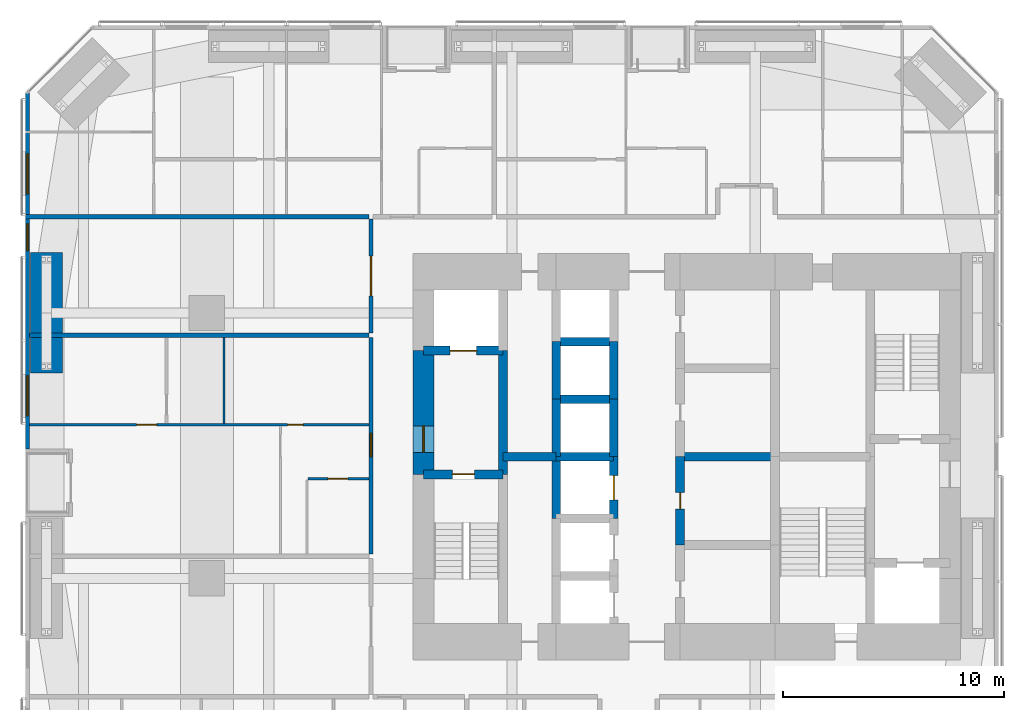
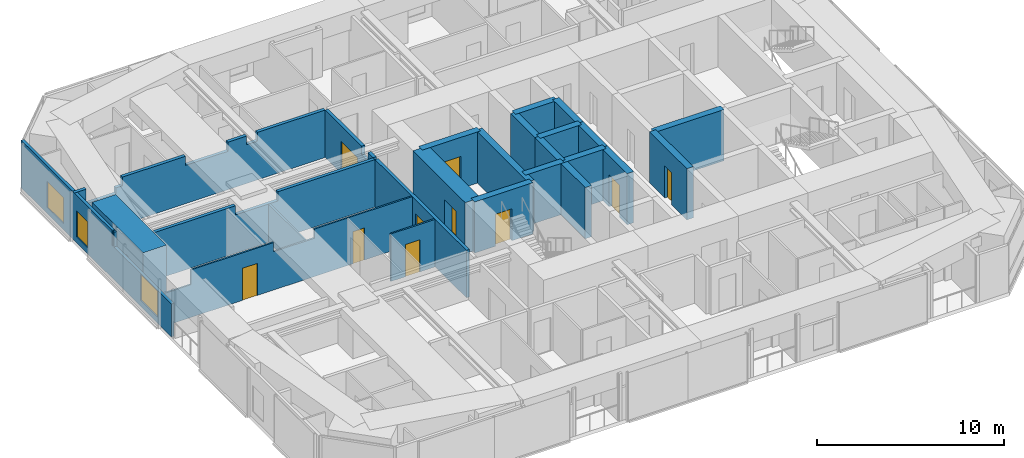
# One storey, part 18 of 23: 25 walls, 10 doors, 3 windows, 13 openings.
"""IFC4 building model written with IfcOpenShell, lengths in metres."""

from ifc_helpers import new_model, si_unit, direction, frame, frame_2d, origin, place, context, subcontext, project, spatial, polyline, rectangle, outline, extrude, material, layer, layer_set, constituent, constituent_set, type_object, element, fill, save


model = new_model("IFC4")

# Units and contexts
model_context = context("Model", 3, precision=1e-05, world=origin(), true_north=direction((0.0, 1.0)))
body_context = subcontext(model_context, "Body", "Model", "MODEL_VIEW")
ifc_project = project(units=[si_unit("LENGTHUNIT", "METRE"), si_unit("AREAUNIT", "SQUARE_METRE"), si_unit("VOLUMEUNIT", "CUBIC_METRE"), si_unit("PLANEANGLEUNIT", "RADIAN"), si_unit("MASSUNIT", "GRAM", prefix="KILO")], contexts=[model_context])

# Site, building, storey
site_placement = place(None, origin())
site = spatial("IfcSite", under=ifc_project, at=site_placement, CompositionType="ELEMENT")
building_placement = place(site_placement, origin())
building = spatial("IfcBuilding", under=site, at=building_placement, Name="Jalousie Tower", CompositionType="ELEMENT")
storey_placement = place(building_placement, frame((0.0, 0.0, 41.10009765625)))
storey = spatial("IfcBuildingStorey", under=building, at=storey_placement, Name="L10", CompositionType="ELEMENT", Elevation=41.10009765625)

# Walls
ifc_material_1 = material(Name="Concrete f'c 120 MPa", Category="concrete")
ifc_layer_1 = layer(ifc_material_1, 0.39990234375)
ifc_layer_set_1 = layer_set([ifc_layer_1], Name="Concrete f'c 120 MPa")
wall_type_1 = type_object("IfcWallType", Name="CORE WALL 400", PredefinedType="SHEAR", material=ifc_layer_set_1)
wall_1_placement = place(storey_placement, frame((23.60009765625, 17.699951171875, 0.0), z_axis=(0.0, 0.0, 1.0), x_axis=(0.0, 1.0, 0.0)))
element("IfcWall", 1, at=wall_1_placement, inside=storey, type_object=wall_type_1, Name="Core wall X23.6B L10", PredefinedType="SHEAR", context=body_context, shape_type="SweptSolid", body=[
    extrude(rectangle(XDim=5.60009765625, YDim=0.39990234375, at=frame_2d((2.800048828125, 0.0))), origin(), (0.0, 0.0, 1.0), 3.349853515625),
])
wall_2_placement = place(storey_placement, frame((26.0, 15.699951171875, 0.0), z_axis=(0.0, 0.0, 1.0), x_axis=(0.0, 1.0, 0.0)))
element("IfcWall", 2, at=wall_2_placement, inside=storey, type_object=wall_type_1, Name="Core wall X26C L10", PredefinedType="SHEAR", context=body_context, shape_type="SweptSolid", body=[
    extrude(rectangle(XDim=2.800048828125, YDim=0.39990234375, at=frame_2d((1.39990234375, 0.0))), origin(), (0.0, 0.0, 1.0), 3.349853515625),
])
wall_3_placement = place(storey_placement, frame((26.0, 18.5, 0.0), z_axis=(0.0, 0.0, 1.0), x_axis=(0.0, 1.0, 0.0)))
element("IfcWall", 3, at=wall_3_placement, inside=storey, type_object=wall_type_1, Name="Core wall X26D L10", PredefinedType="SHEAR", context=body_context, shape_type="SweptSolid", body=[
    extrude(rectangle(XDim=2.60009765625, YDim=0.39990234375, at=frame_2d((1.300048828125, 0.0))), origin(), (0.0, 0.0, 1.0), 3.349853515625),
])
wall_4_placement = place(storey_placement, frame((26.0, 21.10009765625, 0.0), z_axis=(0.0, 0.0, 1.0), x_axis=(0.0, 1.0, 0.0)))
element("IfcWall", 4, at=wall_4_placement, inside=storey, type_object=wall_type_1, Name="Core wall X26E L10", PredefinedType="SHEAR", context=body_context, shape_type="SweptSolid", body=[
    extrude(rectangle(XDim=2.599853515625, YDim=0.39990234375, at=frame_2d((1.2998046875, 0.0))), origin(), (0.0, 0.0, 1.0), 3.349853515625),
])

# Wall, opening, door
wall_5_placement = place(storey_placement, frame((28.60009765625, 15.699951171875, 0.0), z_axis=(0.0, 0.0, 1.0), x_axis=(0.0, 1.0, 0.0)))
wall_5 = element("IfcWall", 5, at=wall_5_placement, inside=storey, type_object=wall_type_1, Name="Core wall X28.6C L10", PredefinedType="SHEAR", context=body_context, shape_type="SweptSolid", body=[
    extrude(rectangle(XDim=2.800048828125, YDim=0.39990234375, at=frame_2d((1.39990234375, 0.0))), origin(), (0.0, 0.0, 1.0), 3.349853515625),
])
opening_1_placement = place(wall_5_placement, frame((0.85009765625, 0.0, 0.0)))
opening_1 = element("IfcOpeningElement", 6, at=opening_1_placement, cuts=wall_5, Name="Opening LD1", PredefinedType="OPENING", context=body_context, shape_type="SweptSolid", body=[
    extrude(rectangle(XDim=1.10009765625, YDim=2.10009765625, at=frame_2d((0.550048828125, 1.050048828125))), frame((0.0, 0.2099609375, 0.0), z_axis=(0.0, -1.0, 0.0), x_axis=(1.0, 0.0, 0.0)), (0.0, 0.0, 1.0), 0.419921875),
])
ifc_material_2 = material(Name="Steel lift landing door", Category="steel")
door_type_1 = type_object("IfcDoorType", Name="LIFT LANDING DOOR 1100", OperationType="SLIDING_TO_LEFT", PredefinedType="DOOR", material=ifc_material_2)
door_1_placement = place(opening_1_placement, origin())
door_1 = element("IfcDoor", 7, at=door_1_placement, inside=storey, type_object=door_type_1, Name="Lift P3 landing door", OperationType="SLIDING_TO_LEFT", OverallHeight=2.10009765625, OverallWidth=1.10009765625, PredefinedType="DOOR", context=body_context, shape_type="SweptSolid", body=[
    extrude(rectangle(XDim=1.10009765625, YDim=2.10009765625, at=frame_2d((0.550048828125, 1.050048828125))), frame((0.0, 0.02490234375, 0.0), z_axis=(0.0, -1.0, 0.0), x_axis=(1.0, 0.0, 0.0)), (0.0, 0.0, 1.0), 0.050048828125),
])
fill(opening_1, door_1)

# Walls
wall_6_placement = place(storey_placement, frame((28.60009765625, 18.5, 0.0), z_axis=(0.0, 0.0, 1.0), x_axis=(0.0, 1.0, 0.0)))
element("IfcWall", 8, at=wall_6_placement, inside=storey, type_object=wall_type_1, Name="Core wall X28.6D L10", PredefinedType="SHEAR", context=body_context, shape_type="SweptSolid", body=[
    extrude(rectangle(XDim=2.60009765625, YDim=0.39990234375, at=frame_2d((1.300048828125, 0.0))), origin(), (0.0, 0.0, 1.0), 3.349853515625),
])
wall_7_placement = place(storey_placement, frame((28.60009765625, 21.10009765625, 0.0), z_axis=(0.0, 0.0, 1.0), x_axis=(0.0, 1.0, 0.0)))
element("IfcWall", 9, at=wall_7_placement, inside=storey, type_object=wall_type_1, Name="Core wall X28.6E L10", PredefinedType="SHEAR", context=body_context, shape_type="SweptSolid", body=[
    extrude(rectangle(XDim=2.599853515625, YDim=0.39990234375, at=frame_2d((1.2998046875, 0.0))), origin(), (0.0, 0.0, 1.0), 3.349853515625),
])

# Wall, opening, door
wall_8_placement = place(storey_placement, frame((31.60009765625, 14.5, 0.0), z_axis=(0.0, 0.0, 1.0), x_axis=(0.0, 1.0, 0.0)))
wall_8 = element("IfcWall", 10, at=wall_8_placement, inside=storey, type_object=wall_type_1, Name="Core wall X31.6B L10", PredefinedType="SHEAR", context=body_context, shape_type="SweptSolid", body=[
    extrude(rectangle(XDim=4.0, YDim=0.39990234375, at=frame_2d((2.0, 0.0))), origin(), (0.0, 0.0, 1.0), 3.349853515625),
])
opening_2_placement = place(wall_8_placement, frame((1.625, 0.0, 0.0)))
opening_2 = element("IfcOpeningElement", 11, at=opening_2_placement, cuts=wall_8, Name="Opening D16", PredefinedType="OPENING", context=body_context, shape_type="SweptSolid", body=[
    extrude(rectangle(XDim=0.75, YDim=2.10009765625, at=frame_2d((0.375, 1.050048828125))), frame((0.0, 0.2099609375, 0.0), z_axis=(0.0, -1.0, 0.0), x_axis=(1.0, 0.0, 0.0)), (0.0, 0.0, 1.0), 0.419921875),
])
ifc_material_3 = material(Name="Steel fire door", Category="steel")
door_type_2 = type_object("IfcDoorType", Name="RISER DOOR 750", OperationType="SINGLE_SWING_LEFT", PredefinedType="DOOR", material=ifc_material_3)
door_2_placement = place(opening_2_placement, frame((0.75, 0.0, 0.0), z_axis=(0.0, 0.0, 1.0), x_axis=(-1.0, 0.0, 0.0)))
door_2 = element("IfcDoor", 12, at=door_2_placement, inside=storey, type_object=door_type_2, Name="Electrical Room door", OperationType="SINGLE_SWING_LEFT", OverallHeight=2.10009765625, OverallWidth=0.75, PredefinedType="DOOR", context=body_context, shape_type="SweptSolid", body=[
    extrude(rectangle(XDim=0.75, YDim=2.10009765625, at=frame_2d((0.375, 1.050048828125))), frame((0.0, 0.02490234375, 0.0), z_axis=(0.0, -1.0, 0.0), x_axis=(1.0, 0.0, 0.0)), (0.0, 0.0, 1.0), 0.050048828125),
])
fill(opening_2, door_2)

wall_9_placement = place(storey_placement, frame((20.0, 17.699951171875, 0.0), z_axis=(0.0, 0.0, 1.0), x_axis=(1.0, 0.0, 0.0)))
wall_9 = element("IfcWall", 13, at=wall_9_placement, inside=storey, type_object=wall_type_1, Name="Core wall Y20-17.7 L10", PredefinedType="SHEAR", context=body_context, shape_type="SweptSolid", body=[
    extrude(rectangle(XDim=3.60009765625, YDim=0.39990234375, at=frame_2d((1.800048828125, 0.0))), origin(), (0.0, 0.0, 1.0), 3.349853515625),
])
opening_3_placement = place(wall_9_placement, frame((1.300048828125, 0.0, 0.0)))
opening_3 = element("IfcOpeningElement", 14, at=opening_3_placement, cuts=wall_9, Name="Opening D10", PredefinedType="OPENING", context=body_context, shape_type="SweptSolid", body=[
    extrude(rectangle(XDim=1.0, YDim=2.10009765625, at=frame_2d((0.5, 1.050048828125))), frame((0.0, 0.2099609375, 0.0), z_axis=(0.0, -1.0, 0.0), x_axis=(1.0, 0.0, 0.0)), (0.0, 0.0, 1.0), 0.419921875),
])
ifc_material_4 = material(Name="Steel fire door", Category="steel")
door_type_3 = type_object("IfcDoorType", Name="STAIR DOOR 1000", OperationType="SINGLE_SWING_LEFT", PredefinedType="DOOR", material=ifc_material_4)
door_3_placement = place(opening_3_placement, frame((1.0, 0.0, 0.0), z_axis=(0.0, 0.0, 1.0), x_axis=(-1.0, 0.0, 0.0)))
door_3 = element("IfcDoor", 15, at=door_3_placement, inside=storey, type_object=door_type_3, Name="Exit stair A door", OperationType="SINGLE_SWING_RIGHT", OverallHeight=2.10009765625, OverallWidth=1.0, PredefinedType="DOOR", context=body_context, shape_type="SweptSolid", body=[
    extrude(rectangle(XDim=1.0, YDim=2.10009765625, at=frame_2d((0.5, 1.050048828125))), frame((0.0, 0.02490234375, 0.0), z_axis=(0.0, -1.0, 0.0), x_axis=(1.0, 0.0, 0.0)), (0.0, 0.0, 1.0), 0.050048828125),
])
fill(opening_3, door_3)

wall_10_placement = place(storey_placement, frame((20.0, 23.300048828125, 0.0), z_axis=(0.0, 0.0, 1.0), x_axis=(1.0, 0.0, 0.0)))
wall_10 = element("IfcWall", 16, at=wall_10_placement, inside=storey, type_object=wall_type_1, Name="Core wall Y20-23.3 L10", PredefinedType="SHEAR", context=body_context, shape_type="SweptSolid", body=[
    extrude(rectangle(XDim=3.60009765625, YDim=0.39990234375, at=frame_2d((1.800048828125, 0.0))), origin(), (0.0, 0.0, 1.0), 3.349853515625),
])
opening_4_placement = place(wall_10_placement, frame((1.199951171875, 0.0, 0.0)))
opening_4 = element("IfcOpeningElement", 17, at=opening_4_placement, cuts=wall_10, Name="Opening LD2", PredefinedType="OPENING", context=body_context, shape_type="SweptSolid", body=[
    extrude(rectangle(XDim=1.199951171875, YDim=2.10009765625, at=frame_2d((0.60009765625, 1.050048828125))), frame((0.0, 0.2099609375, 0.0), z_axis=(0.0, -1.0, 0.0), x_axis=(1.0, 0.0, 0.0)), (0.0, 0.0, 1.0), 0.419921875),
])
ifc_material_5 = material(Name="Steel lift landing door", Category="steel")
door_type_4 = type_object("IfcDoorType", Name="LIFT LANDING DOOR 1200", OperationType="SLIDING_TO_LEFT", PredefinedType="DOOR", material=ifc_material_5)
door_4_placement = place(opening_4_placement, origin())
door_4 = element("IfcDoor", 18, at=door_4_placement, inside=storey, type_object=door_type_4, Name="Lift F1 landing door", OperationType="SLIDING_TO_LEFT", OverallHeight=2.10009765625, OverallWidth=1.199951171875, PredefinedType="DOOR", context=body_context, shape_type="SweptSolid", body=[
    extrude(rectangle(XDim=1.199951171875, YDim=2.10009765625, at=frame_2d((0.60009765625, 1.050048828125))), frame((0.0, 0.02490234375, 0.0), z_axis=(0.0, -1.0, 0.0), x_axis=(1.0, 0.0, 0.0)), (0.0, 0.0, 1.0), 0.050048828125),
])
fill(opening_4, door_4)

# Walls
wall_11_placement = place(storey_placement, frame((23.60009765625, 18.5, 0.0), z_axis=(0.0, 0.0, 1.0), x_axis=(1.0, 0.0, 0.0)))
element("IfcWall", 19, at=wall_11_placement, inside=storey, type_object=wall_type_1, Name="Core wall Y23.6-18.5 L10", PredefinedType="SHEAR", context=body_context, shape_type="SweptSolid", body=[
    extrude(rectangle(XDim=2.39990234375, YDim=0.39990234375, at=frame_2d((1.199951171875, 0.0))), origin(), (0.0, 0.0, 1.0), 3.349853515625),
])
for number, where, z_axis, x_axis, name in (
    (20, (26.0, 18.5, 0.0), (0.0, 0.0, 1.0), (1.0, 0.0, 0.0), "Core wall Y26-18.5 L10"),
    (21, (26.0, 21.10009765625, 0.0), (0.0, 0.0, 1.0), (1.0, 0.0, 0.0), "Core wall Y26-21.1 L10"),
    (22, (26.0, 23.699951171875, 0.0), (0.0, 0.0, 1.0), (1.0, 0.0, 0.0), "Core wall Y26-23.7 L10"),
):
    element("IfcWall", number, at=place(storey_placement, frame(where, z_axis=z_axis, x_axis=x_axis)), inside=storey, type_object=wall_type_1, Name=name, PredefinedType="SHEAR", context=body_context, shape_type="SweptSolid", body=[
        extrude(rectangle(XDim=2.60009765625, YDim=0.39990234375, at=frame_2d((1.300048828125, 0.0))), origin(), (0.0, 0.0, 1.0), 3.349853515625),
    ])
wall_12_placement = place(storey_placement, frame((31.60009765625, 18.5, 0.0), z_axis=(0.0, 0.0, 1.0), x_axis=(1.0, 0.0, 0.0)))
element("IfcWall", 23, at=wall_12_placement, inside=storey, type_object=wall_type_1, Name="Core wall Y31.6-18.5 L10", PredefinedType="SHEAR", context=body_context, shape_type="SweptSolid", body=[
    extrude(rectangle(XDim=4.2998046875, YDim=0.39990234375, at=frame_2d((2.14990234375, 0.0))), origin(), (0.0, 0.0, 1.0), 3.349853515625),
])

# Wall, opening, door
ifc_material_6 = material(Name="Concrete f'c 120 MPa", Category="concrete")
ifc_layer_2 = layer(ifc_material_6, 0.949951171875)
ifc_layer_set_2 = layer_set([ifc_layer_2], Name="Concrete f'c 120 MPa")
wall_type_2 = type_object("IfcWallType", Name="CORE WALL 950", PredefinedType="SHEAR", material=ifc_layer_set_2)
wall_13_placement = place(storey_placement, frame((20.0, 23.300048828125, 0.0), z_axis=(0.0, 0.0, 1.0), x_axis=(0.0, -1.0, 0.0)))
wall_13 = element("IfcWall", 24, at=wall_13_placement, inside=storey, type_object=wall_type_2, Name="Core wall WB L10", PredefinedType="SHEAR", context=body_context, shape_type="SweptSolid", body=[
    extrude(rectangle(XDim=5.60009765625, YDim=0.949951171875, at=frame_2d((2.800048828125, 0.0))), origin(), (0.0, 0.0, 1.0), 3.349853515625),
])
opening_5_placement = place(wall_13_placement, frame((3.39990234375, 0.0, 0.0)))
opening_5 = element("IfcOpeningElement", 25, at=opening_5_placement, cuts=wall_13, Name="Opening D11", PredefinedType="OPENING", context=body_context, shape_type="SweptSolid", body=[
    extrude(rectangle(XDim=1.199951171875, YDim=2.199951171875, at=frame_2d((0.60009765625, 1.10009765625))), frame((0.0, 0.48486328125, 0.0), z_axis=(0.0, -1.0, 0.0), x_axis=(1.0, 0.0, 0.0)), (0.0, 0.0, 1.0), 0.969970703125),
])
ifc_material_7 = material(Name="Steel fire door", Category="steel")
door_type_5 = type_object("IfcDoorType", Name="FIRE DOOR 1200", OperationType="SINGLE_SWING_LEFT", PredefinedType="DOOR", material=ifc_material_7)
door_5_placement = place(opening_5_placement, origin())
door_5 = element("IfcDoor", 26, at=door_5_placement, inside=storey, type_object=door_type_5, Name="Fire-fighting lobby A door", OperationType="SINGLE_SWING_RIGHT", OverallHeight=2.199951171875, OverallWidth=1.199951171875, PredefinedType="DOOR", context=body_context, shape_type="SweptSolid", body=[
    extrude(rectangle(XDim=1.199951171875, YDim=2.199951171875, at=frame_2d((0.60009765625, 1.10009765625))), frame((0.0, 0.02490234375, 0.0), z_axis=(0.0, -1.0, 0.0), x_axis=(1.0, 0.0, 0.0)), (0.0, 0.0, 1.0), 0.050048828125),
])
fill(opening_5, door_5)

ifc_material_8 = material(Name="Concrete block ASTM C90", Category="concrete")
ifc_constituent_1 = constituent(ifc_material_8, Name="Body")
ifc_material_9 = material(Name="Render")
ifc_constituent_2 = constituent(ifc_material_9, Name="Finish")
ifc_constituent_set_1 = constituent_set(constituents=[ifc_constituent_1, ifc_constituent_2])
wall_type_3 = type_object("IfcWallType", Name="CORRIDOR WALL 200", PredefinedType="PARTITIONING", material=ifc_constituent_set_1)
wall_14_placement = place(storey_placement, frame((17.625, 14.10009765625, 0.0), z_axis=(0.0, 0.0, 1.0), x_axis=(0.0, 1.0, 0.0)))
wall_14 = element("IfcWall", 27, at=wall_14_placement, inside=storey, type_object=wall_type_3, Name="Corridor Wall 200 L10", PredefinedType="PARTITIONING", context=body_context, shape_type="SweptSolid", body=[
    extrude(rectangle(XDim=9.7998046875, YDim=0.199951171875, at=frame_2d((4.89990234375, 0.0))), origin(), (0.0, 0.0, 1.0), 3.10986328125),
])
opening_6_placement = place(wall_14_placement, frame((4.39990234375, 0.0, 0.0)))
opening_6 = element("IfcOpeningElement", 28, at=opening_6_placement, cuts=wall_14, Name="Opening D1", PredefinedType="OPENING", context=body_context, shape_type="SweptSolid", body=[
    extrude(rectangle(XDim=1.050048828125, YDim=2.199951171875, at=frame_2d((0.52490234375, 1.10009765625))), frame((0.0, 0.10986328125, 0.0), z_axis=(0.0, -1.0, 0.0), x_axis=(1.0, 0.0, 0.0)), (0.0, 0.0, 1.0), 0.219970703125),
])
ifc_material_10 = material(Name="Timber fire door", Category="wood")
door_type_6 = type_object("IfcDoorType", Name="APARTMENT ENTRANCE DOOR 1050", OperationType="SINGLE_SWING_LEFT", PredefinedType="DOOR", material=ifc_material_10)
door_6_placement = place(opening_6_placement, origin())
door_6 = element("IfcDoor", 29, at=door_6_placement, inside=storey, type_object=door_type_6, Name="Apartment 1006 entrance", OperationType="SINGLE_SWING_RIGHT", OverallHeight=2.199951171875, OverallWidth=1.050048828125, PredefinedType="DOOR", context=body_context, shape_type="SweptSolid", body=[
    extrude(rectangle(XDim=1.050048828125, YDim=2.199951171875, at=frame_2d((0.52490234375, 1.10009765625))), frame((0.0, 0.02490234375, 0.0), z_axis=(0.0, -1.0, 0.0), x_axis=(1.0, 0.0, 0.0)), (0.0, 0.0, 1.0), 0.050048828125),
])
fill(opening_6, door_6)

wall_15_placement = place(storey_placement, frame((17.625, 24.10009765625, 0.0), z_axis=(0.0, 0.0, 1.0), x_axis=(0.0, 1.0, 0.0)))
wall_15 = element("IfcWall", 30, at=wall_15_placement, inside=storey, type_object=wall_type_3, Name="Corridor Wall 200 L10", PredefinedType="PARTITIONING", context=body_context, shape_type="SweptSolid", body=[
    extrude(outline(polyline([(0.0, 0.0), (5.14990234375, 0.0), (5.14990234375, 3.10986328125), (1.2373046875, 3.10986328125), (1.2373046875, 2.541015625), (0.5625, 2.541015625), (0.5625, 3.10986328125), (0.0, 3.10986328125), (0.0, 0.0)])), frame((0.0, 0.10009765625, 0.0), z_axis=(0.0, -1.0, 0.0), x_axis=(1.0, 0.0, 0.0)), (0.0, 0.0, 1.0), 0.199951171875),
])
opening_7_placement = place(wall_15_placement, frame((1.675048828125, 0.0, 0.0)))
opening_7 = element("IfcOpeningElement", 31, at=opening_7_placement, cuts=wall_15, Name="Opening D22", PredefinedType="OPENING", context=body_context, shape_type="SweptSolid", body=[
    extrude(rectangle(XDim=1.800048828125, YDim=2.10009765625, at=frame_2d((0.89990234375, 1.050048828125))), frame((0.0, 0.10986328125, 0.0), z_axis=(0.0, -1.0, 0.0), x_axis=(1.0, 0.0, 0.0)), (0.0, 0.0, 1.0), 0.219970703125),
])
ifc_material_11 = material(Name="Timber fire door", Category="wood")
door_type_7 = type_object("IfcDoorType", Name="CORRIDOR DOUBLE DOOR 1800", OperationType="DOUBLE_DOOR_SINGLE_SWING", PredefinedType="DOOR", material=ifc_material_11)
door_7_placement = place(opening_7_placement, origin())
door_7 = element("IfcDoor", 32, at=door_7_placement, inside=storey, type_object=door_type_7, Name="Residents' library door", OperationType="DOUBLE_DOOR_SINGLE_SWING", OverallHeight=2.10009765625, OverallWidth=1.800048828125, PredefinedType="DOOR", context=body_context, shape_type="SweptSolid", body=[
    extrude(rectangle(XDim=1.800048828125, YDim=2.10009765625, at=frame_2d((0.89990234375, 1.050048828125))), frame((0.0, 0.02490234375, 0.0), z_axis=(0.0, -1.0, 0.0), x_axis=(1.0, 0.0, 0.0)), (0.0, 0.0, 1.0), 0.050048828125),
])
fill(opening_7, door_7)

# Wall, openings, windows
ifc_material_12 = material(Name="Concrete f'c 40 MPa", Category="concrete")
ifc_constituent_3 = constituent(ifc_material_12, Name="Body")
ifc_material_13 = material(Name="Render, pastel coral")
ifc_constituent_4 = constituent(ifc_material_13, Name="Finish")
ifc_constituent_set_2 = constituent_set(constituents=[ifc_constituent_3, ifc_constituent_4])
wall_type_4 = type_object("IfcWallType", Name="EXTERNAL WALL 175 CORAL RENDER", PredefinedType="SOLIDWALL", material=ifc_constituent_set_2)
wall_16_placement = place(storey_placement, frame((2.08740234375, 34.94873046875, 0.0), z_axis=(0.0, 0.0, 1.0), x_axis=(0.0, -1.0, 0.0)))
wall_16 = element("IfcWall", 33, at=wall_16_placement, inside=storey, type_object=wall_type_4, Name="External Wall 175 Coral Render L10", PredefinedType="SOLIDWALL", context=body_context, shape_type="SweptSolid", body=[
    extrude(outline(polyline([(0.0, 0.0), (16.0986328125, 0.0), (16.0986328125, 2.14990234375), (9.94873046875, 2.14990234375), (9.94873046875, 3.10986328125), (9.822998046875, 3.10986328125), (9.822998046875, 2.14990234375), (9.72998046875, 2.14990234375), (9.72998046875, 3.10986328125), (0.0, 3.10986328125), (0.0, 0.0)])), frame((0.0, 0.08740234375, 0.0), z_axis=(0.0, -1.0, 0.0), x_axis=(1.0, 0.0, 0.0)), (0.0, 0.0, 1.0), 0.175048828125),
])
opening_8_placement = place(wall_16_placement, frame((2.75732421875, 0.0, 0.39990234375)))
opening_8 = element("IfcOpeningElement", 34, at=opening_8_placement, cuts=wall_16, Name="Opening W-BED170", PredefinedType="OPENING", context=body_context, shape_type="SweptSolid", body=[
    extrude(rectangle(XDim=1.800048828125, YDim=1.699951171875, at=frame_2d((0.89990234375, 0.85009765625))), frame((0.0, 0.097412109375, 0.0), z_axis=(0.0, -1.0, 0.0), x_axis=(1.0, 0.0, 0.0)), (0.0, 0.0, 1.0), 0.195068359375),
])
opening_9_placement = place(wall_16_placement, frame((5.923583984375, 0.0, 0.39990234375)))
opening_9 = element("IfcOpeningElement", 35, at=opening_9_placement, cuts=wall_16, Name="Opening W-COR170", PredefinedType="OPENING", context=body_context, shape_type="SweptSolid", body=[
    extrude(rectangle(XDim=1.199951171875, YDim=1.699951171875, at=frame_2d((0.60009765625, 0.85009765625))), frame((0.0, 0.097412109375, 0.0), z_axis=(0.0, -1.0, 0.0), x_axis=(1.0, 0.0, 0.0)), (0.0, 0.0, 1.0), 0.195068359375),
])
opening_10_placement = place(wall_16_placement, frame((12.798583984375, 0.0, 0.39990234375)))
opening_10 = element("IfcOpeningElement", 36, at=opening_10_placement, cuts=wall_16, Name="Opening W-BED170", PredefinedType="OPENING", context=body_context, shape_type="SweptSolid", body=[
    extrude(rectangle(XDim=1.800048828125, YDim=1.699951171875, at=frame_2d((0.89990234375, 0.85009765625))), frame((0.0, 0.097412109375, 0.0), z_axis=(0.0, -1.0, 0.0), x_axis=(1.0, 0.0, 0.0)), (0.0, 0.0, 1.0), 0.195068359375),
])
ifc_material_14 = material(Name="Aluminium frame, impact-rated glazing", Category="aluminium")
window_type_1 = type_object("IfcWindowType", Name="WINDOW BED 1800x1700", PartitioningType="SINGLE_PANEL", PredefinedType="WINDOW", material=ifc_material_14)
window_1_placement = place(opening_8_placement, origin())
window_1 = element("IfcWindow", 37, at=window_1_placement, inside=storey, type_object=window_type_1, Name="Apartment 1004 bedroom 1 window", OverallHeight=1.699951171875, OverallWidth=1.800048828125, PartitioningType="SINGLE_PANEL", PredefinedType="WINDOW", context=body_context, shape_type="SweptSolid", body=[
    extrude(rectangle(XDim=1.800048828125, YDim=1.699951171875, at=frame_2d((0.89990234375, 0.85009765625))), frame((0.0, 0.030029296875, 0.0), z_axis=(0.0, -1.0, 0.0), x_axis=(1.0, 0.0, 0.0)), (0.0, 0.0, 1.0), 0.06005859375),
])
fill(opening_8, window_1)
window_2_placement = place(opening_10_placement, origin())
window_2 = element("IfcWindow", 38, at=window_2_placement, inside=storey, type_object=window_type_1, Name="Apartment 1006 bedroom 1 window", OverallHeight=1.699951171875, OverallWidth=1.800048828125, PartitioningType="SINGLE_PANEL", PredefinedType="WINDOW", context=body_context, shape_type="SweptSolid", body=[
    extrude(rectangle(XDim=1.800048828125, YDim=1.699951171875, at=frame_2d((0.89990234375, 0.85009765625))), frame((0.0, 0.030029296875, 0.0), z_axis=(0.0, -1.0, 0.0), x_axis=(1.0, 0.0, 0.0)), (0.0, 0.0, 1.0), 0.06005859375),
])
fill(opening_10, window_2)
ifc_material_15 = material(Name="Aluminium frame, impact-rated glazing", Category="aluminium")
window_type_2 = type_object("IfcWindowType", Name="WINDOW COR 1200x1700", PartitioningType="SINGLE_PANEL", PredefinedType="WINDOW", material=ifc_material_15)
window_3_placement = place(opening_9_placement, origin())
window_3 = element("IfcWindow", 39, at=window_3_placement, inside=storey, type_object=window_type_2, Name="Residents' library window", OverallHeight=1.699951171875, OverallWidth=1.199951171875, PartitioningType="SINGLE_PANEL", PredefinedType="WINDOW", context=body_context, shape_type="SweptSolid", body=[
    extrude(rectangle(XDim=1.199951171875, YDim=1.699951171875, at=frame_2d((0.60009765625, 0.85009765625))), frame((0.0, 0.030029296875, 0.0), z_axis=(0.0, -1.0, 0.0), x_axis=(1.0, 0.0, 0.0)), (0.0, 0.0, 1.0), 0.06005859375),
])
fill(opening_9, window_3)

# Wall, openings, doors
ifc_material_16 = material(Name="Gypsum board", Category="gypsum")
ifc_constituent_5 = constituent(ifc_material_16, Name="Body")
ifc_material_17 = material(Name="Light-gauge steel studs ASTM A653 SS Grade 33", Category="steel")
ifc_constituent_6 = constituent(ifc_material_17, Name="Framing")
ifc_constituent_set_3 = constituent_set(constituents=[ifc_constituent_5, ifc_constituent_6])
wall_type_5 = type_object("IfcWallType", Name="PARTITION 100", PredefinedType="PARTITIONING", material=ifc_constituent_set_3)
wall_17_placement = place(storey_placement, frame((2.175048828125, 19.949951171875, 0.0), z_axis=(0.0, 0.0, 1.0), x_axis=(1.0, 0.0, 0.0)))
wall_17 = element("IfcWall", 40, at=wall_17_placement, inside=storey, type_object=wall_type_5, Name="Partition 100 L10", PredefinedType="PARTITIONING", context=body_context, shape_type="SweptSolid", body=[
    extrude(outline(polyline([(0.0, 0.0), (15.349853515625, 0.0), (15.35009765625, 3.10986328125), (9.284912109375, 3.10986328125), (9.284912109375, 2.510009765625), (6.764892578125, 2.510009765625), (6.764892578125, 3.10986328125), (1.635009765625, 3.10986328125), (1.635009765625, 2.14990234375), (0.0, 2.14990234375), (0.0, 3.10986328125), (0.0, 0.0)])), frame((0.0, 0.050048828125, 0.0), z_axis=(0.0, -1.0, 0.0), x_axis=(1.0, 0.0, 0.0)), (0.0, 0.0, 1.0), 0.10009765625),
])
opening_11_placement = place(wall_17_placement, frame((4.85009765625, 0.0, 0.0)))
opening_11 = element("IfcOpeningElement", 41, at=opening_11_placement, cuts=wall_17, Name="Opening D2", PredefinedType="OPENING", context=body_context, shape_type="SweptSolid", body=[
    extrude(rectangle(XDim=0.89990234375, YDim=2.10009765625, at=frame_2d((0.449951171875, 1.050048828125))), frame((0.0, 0.06005859375, 0.0), z_axis=(0.0, -1.0, 0.0), x_axis=(1.0, 0.0, 0.0)), (0.0, 0.0, 1.0), 0.1201171875),
])
opening_12_placement = place(wall_17_placement, frame((11.675048828125, 0.0, 0.0)))
opening_12 = element("IfcOpeningElement", 42, at=opening_12_placement, cuts=wall_17, Name="Opening D4", PredefinedType="OPENING", context=body_context, shape_type="SweptSolid", body=[
    extrude(rectangle(XDim=0.699951171875, YDim=2.10009765625, at=frame_2d((0.35009765625, 1.050048828125))), frame((0.0, 0.06005859375, 0.0), z_axis=(0.0, -1.0, 0.0), x_axis=(1.0, 0.0, 0.0)), (0.0, 0.0, 1.0), 0.1201171875),
])
ifc_material_18 = material(Name="Timber door", Category="wood")
door_type_8 = type_object("IfcDoorType", Name="BEDROOM DOOR 900", OperationType="SINGLE_SWING_LEFT", PredefinedType="DOOR", material=ifc_material_18)
door_8_placement = place(opening_11_placement, origin())
door_8 = element("IfcDoor", 43, at=door_8_placement, inside=storey, type_object=door_type_8, Name="Apartment 1006 bedroom 1 door", OperationType="SINGLE_SWING_RIGHT", OverallHeight=2.10009765625, OverallWidth=0.89990234375, PredefinedType="DOOR", context=body_context, shape_type="SweptSolid", body=[
    extrude(rectangle(XDim=0.89990234375, YDim=2.10009765625, at=frame_2d((0.449951171875, 1.050048828125))), frame((0.0, 0.02490234375, 0.0), z_axis=(0.0, -1.0, 0.0), x_axis=(1.0, 0.0, 0.0)), (0.0, 0.0, 1.0), 0.050048828125),
])
fill(opening_11, door_8)
ifc_material_19 = material(Name="Timber door", Category="wood")
door_type_9 = type_object("IfcDoorType", Name="STORE DOOR 700", OperationType="SINGLE_SWING_LEFT", PredefinedType="DOOR", material=ifc_material_19)
door_9_placement = place(opening_12_placement, origin())
door_9 = element("IfcDoor", 44, at=door_9_placement, inside=storey, type_object=door_type_9, Name="Apartment 1006 store door", OperationType="SINGLE_SWING_LEFT", OverallHeight=2.10009765625, OverallWidth=0.699951171875, PredefinedType="DOOR", context=body_context, shape_type="SweptSolid", body=[
    extrude(rectangle(XDim=0.699951171875, YDim=2.10009765625, at=frame_2d((0.35009765625, 1.050048828125))), frame((0.0, 0.02490234375, 0.0), z_axis=(0.0, -1.0, 0.0), x_axis=(1.0, 0.0, 0.0)), (0.0, 0.0, 1.0), 0.050048828125),
])
fill(opening_12, door_9)

# Wall
wall_18_placement = place(storey_placement, frame((10.97509765625, 20.0, 0.0), z_axis=(0.0, 0.0, 1.0), x_axis=(0.0, 1.0, 0.0)))
element("IfcWall", 45, at=wall_18_placement, inside=storey, type_object=wall_type_5, Name="Partition 100 L10", PredefinedType="PARTITIONING", context=body_context, shape_type="SweptSolid", body=[
    extrude(outline(polyline([(0.0, 0.0), (3.89990234375, 0.0), (3.89990234375, 3.10986328125), (3.89990234375, 2.510009765625), (0.0, 2.510009765625), (0.0, 3.10986328125), (0.0, 0.0)])), frame((0.0, 0.050048828125, 0.0), z_axis=(0.0, -1.0, 0.0), x_axis=(1.0, 0.0, 0.0)), (0.0, 0.0, 1.0), 0.10009765625),
])

# Wall, opening, door
wall_19_placement = place(storey_placement, frame((14.77490234375, 17.5, 0.0), z_axis=(0.0, 0.0, 1.0), x_axis=(1.0, 0.0, 0.0)))
wall_19 = element("IfcWall", 46, at=wall_19_placement, inside=storey, type_object=wall_type_5, Name="Partition 100 L10", PredefinedType="PARTITIONING", context=body_context, shape_type="SweptSolid", body=[
    extrude(rectangle(XDim=2.75, YDim=0.10009765625, at=frame_2d((1.375, 0.0))), origin(), (0.0, 0.0, 1.0), 3.10986328125),
])
opening_13_placement = place(wall_19_placement, frame((0.89990234375, 0.0, 0.0)))
opening_13 = element("IfcOpeningElement", 47, at=opening_13_placement, cuts=wall_19, Name="Opening D7", PredefinedType="OPENING", context=body_context, shape_type="SweptSolid", body=[
    extrude(rectangle(XDim=0.89990234375, YDim=2.10009765625, at=frame_2d((0.449951171875, 1.050048828125))), frame((0.0, 0.06005859375, 0.0), z_axis=(0.0, -1.0, 0.0), x_axis=(1.0, 0.0, 0.0)), (0.0, 0.0, 1.0), 0.1201171875),
])
ifc_material_20 = material(Name="Timber door", Category="wood")
door_type_10 = type_object("IfcDoorType", Name="INTERNAL DOOR 900", OperationType="SINGLE_SWING_LEFT", PredefinedType="DOOR", material=ifc_material_20)
door_10_placement = place(opening_13_placement, frame((0.89990234375, 0.0, 0.0), z_axis=(0.0, 0.0, 1.0), x_axis=(-1.0, 0.0, 0.0)))
door_10 = element("IfcDoor", 48, at=door_10_placement, inside=storey, type_object=door_type_10, Name="Apartment 1006 kitchen door", OperationType="SINGLE_SWING_RIGHT", OverallHeight=2.10009765625, OverallWidth=0.89990234375, PredefinedType="DOOR", context=body_context, shape_type="SweptSolid", body=[
    extrude(rectangle(XDim=0.89990234375, YDim=2.10009765625, at=frame_2d((0.449951171875, 1.050048828125))), frame((0.0, 0.02490234375, 0.0), z_axis=(0.0, -1.0, 0.0), x_axis=(1.0, 0.0, 0.0)), (0.0, 0.0, 1.0), 0.050048828125),
])
fill(opening_13, door_10)

# Walls
ifc_material_21 = material(Name="Concrete block ASTM C90", Category="concrete")
ifc_constituent_7 = constituent(ifc_material_21, Name="Body")
ifc_material_22 = material(Name="Render")
ifc_constituent_8 = constituent(ifc_material_22, Name="Finish")
ifc_constituent_set_4 = constituent_set(constituents=[ifc_constituent_7, ifc_constituent_8])
wall_type_6 = type_object("IfcWallType", Name="PARTY WALL 200", PredefinedType="PARTITIONING", material=ifc_constituent_set_4)
wall_20_placement = place(storey_placement, frame((2.0, 29.35009765625, 0.0), z_axis=(0.0, 0.0, 1.0), x_axis=(1.0, 0.0, 0.0)))
element("IfcWall", 49, at=wall_20_placement, inside=storey, type_object=wall_type_6, Name="Party Wall 200 L10", PredefinedType="PARTITIONING", context=body_context, shape_type="SweptSolid", body=[
    extrude(outline(polyline([(0.0, 0.0), (15.52490234375, 0.0), (15.52490234375, 3.10986328125), (11.33740234375, 3.10986328125), (11.33740234375, 2.541015625), (10.66259765625, 2.541015625), (10.66259765625, 3.10986328125), (9.510009765625, 3.10986328125), (9.510009765625, 2.510009765625), (6.889892578125, 2.510009765625), (6.889892578125, 3.10986328125), (2.96875, 3.10986328125), (2.96875, 2.541015625), (2.577392578125, 2.541015625), (2.577392578125, 2.14990234375), (0.7333984375, 2.14990234375), (0.7333984375, 3.10986328125), (0.0, 3.10986328125), (0.0, 0.0)])), frame((0.0, 0.10009765625, 0.0), z_axis=(0.0, -1.0, 0.0), x_axis=(1.0, 0.0, 0.0)), (0.0, 0.0, 1.0), 0.199951171875),
])
wall_21_placement = place(storey_placement, frame((2.175048828125, 24.0, 0.0), z_axis=(0.0, 0.0, 1.0), x_axis=(1.0, 0.0, 0.0)))
element("IfcWall", 50, at=wall_21_placement, inside=storey, type_object=wall_type_6, Name="Party Wall 200 L10", PredefinedType="PARTITIONING", context=body_context, shape_type="SweptSolid", body=[
    extrude(outline(polyline([(0.52880859375, 2.14990234375), (0.0, 2.14990234375), (0.0, 0.0), (0.52880859375, 0.0), (0.52880859375, 0.815185546875), (1.021240234375, 0.815185546875), (1.021240234375, 0.0), (15.35009765625, 0.0), (15.35009765625, 3.10986328125), (9.3349609375, 3.10986328125), (9.3349609375, 2.510009765625), (6.715087890625, 2.510009765625), (6.715087890625, 3.10986328125), (1.68505859375, 3.10986328125), (1.68505859375, 2.14990234375), (1.021240234375, 2.14990234375), (1.021240234375, 1.334716796875), (0.52880859375, 1.334716796875), (0.52880859375, 2.14990234375)])), frame((0.0, 0.10009765625, 0.0), z_axis=(0.0, -1.0, 0.0), x_axis=(1.0, 0.0, 0.0)), (0.0, 0.0, 1.0), 0.199951171875),
])
ifc_material_23 = material(Name="Concrete f'c 120 MPa", Category="concrete")
ifc_layer_3 = layer(ifc_material_23, 1.449951171875)
ifc_layer_set_3 = layer_set([ifc_layer_3], Name="Concrete f'c 120 MPa")
wall_type_7 = type_object("IfcWallType", Name="RC WALL PIER 1450", PredefinedType="SHEAR", material=ifc_layer_set_3)
wall_22_placement = place(storey_placement, frame((2.949951171875, 22.27490234375, 0.0), z_axis=(0.0, 0.0, 1.0), x_axis=(0.0, 1.0, 0.0)))
element("IfcWall", 51, at=wall_22_placement, inside=storey, type_object=wall_type_7, Name="Wall pier 13 L10", PredefinedType="SHEAR", context=body_context, shape_type="SweptSolid", body=[
    extrude(rectangle(XDim=5.4501953125, YDim=1.449951171875, at=frame_2d((2.72509765625, 0.0))), origin(), (0.0, 0.0, 1.0), 3.349853515625),
])

save(model, "model.ifc")
